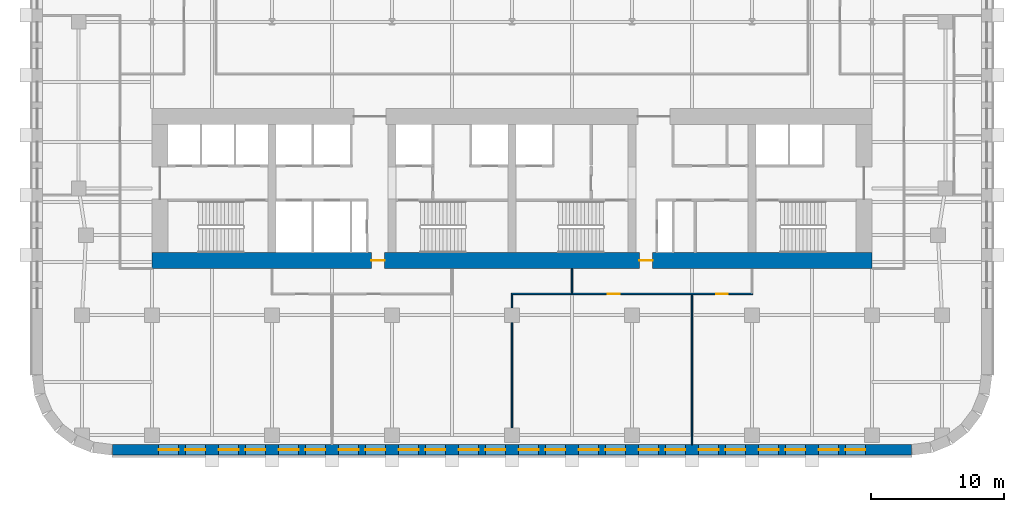
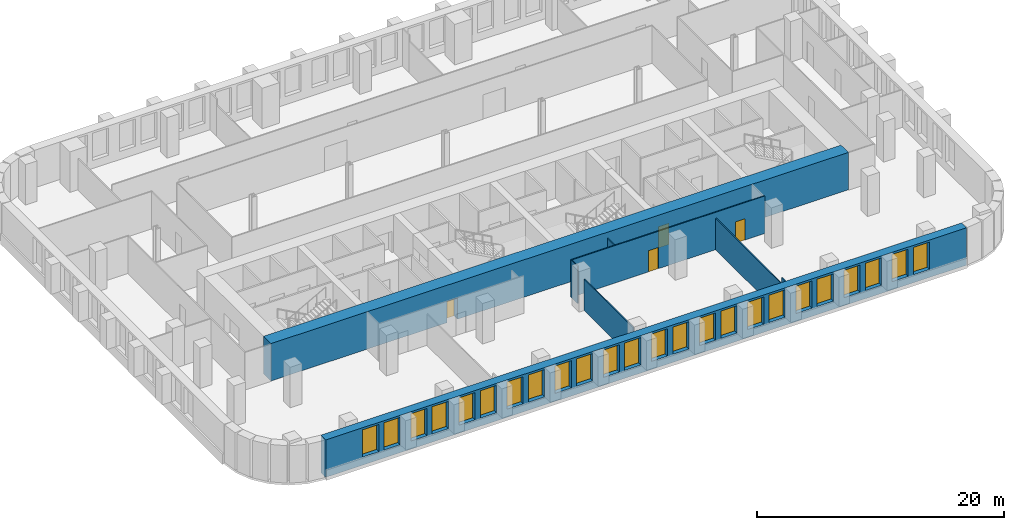
# One storey, part 5 of 12: 24 windows, 8 walls, 4 doors, 28 openings.
"""IFC4 building model written with IfcOpenShell, lengths in metres."""

from ifc_helpers import new_model, si_unit, direction, frame, frame_2d, origin, place, context, subcontext, project, spatial, rectangle, extrude, material, layer, layer_set, type_object, element, fill, save


model = new_model("IFC4")

# Units and contexts
model_context = context("Model", 3, precision=1e-05, world=origin(), true_north=direction((0.0, 1.0)))
body_context = subcontext(model_context, "Body", "Model", "MODEL_VIEW")
ifc_project = project(units=[si_unit("LENGTHUNIT", "METRE"), si_unit("AREAUNIT", "SQUARE_METRE"), si_unit("VOLUMEUNIT", "CUBIC_METRE"), si_unit("PLANEANGLEUNIT", "RADIAN"), si_unit("MASSUNIT", "GRAM", prefix="KILO")], contexts=[model_context])

# Site, building, storey
site_placement = place(None, origin())
site = spatial("IfcSite", under=ifc_project, at=site_placement, CompositionType="ELEMENT")
building_placement = place(site_placement, origin())
building = spatial("IfcBuilding", under=site, at=building_placement, Name="Zellij Exchange Tower", CompositionType="ELEMENT")
storey_placement = place(building_placement, frame((0.0, 0.0, 96.5)))
storey = spatial("IfcBuildingStorey", under=building, at=storey_placement, Name="L20", CompositionType="ELEMENT", Elevation=96.5)

# Wall, openings, doors
ifc_material_1 = material(Name="Concrete C70/85", Category="concrete")
ifc_layer_1 = layer(ifc_material_1, 1.199951171875)
ifc_layer_set_1 = layer_set([ifc_layer_1], Name="Concrete C70/85")
wall_type_1 = type_object("IfcWallType", Name="CORE-SW 1200 C70/85", PredefinedType="SHEAR", material=ifc_layer_set_1)
wall_1_placement = place(storey_placement, frame((-27.0, -13.39990234375, 0.0), z_axis=(0.0, 0.0, 1.0), x_axis=(1.0, 0.0, 0.0)))
wall_1 = element("IfcWall", 1, at=wall_1_placement, inside=storey, type_object=wall_type_1, Name="Core shear wall rear L20", PredefinedType="SHEAR", context=body_context, shape_type="SweptSolid", body=[
    extrude(rectangle(XDim=54.0, YDim=1.199951171875, at=frame_2d((27.0, 0.0))), origin(), (0.0, 0.0, 1.0), 3.699951171875),
])
opening_1_placement = place(wall_1_placement, frame((16.449951171875, 0.0, 0.0)))
opening_1 = element("IfcOpeningElement", 2, at=opening_1_placement, cuts=wall_1, Name="Opening CA-10.12", PredefinedType="OPENING", context=body_context, shape_type="SweptSolid", body=[
    extrude(rectangle(XDim=1.0, YDim=2.10009765625, at=frame_2d((0.5, 1.050048828125))), frame((0.0, 0.61181640625, 0.0), z_axis=(0.0, -1.0, 0.0), x_axis=(1.0, 0.0, 0.0)), (0.0, 0.0, 1.0), 1.223876953125),
])
opening_2_placement = place(wall_1_placement, frame((36.550048828125, 0.0, 0.0)))
opening_2 = element("IfcOpeningElement", 3, at=opening_2_placement, cuts=wall_1, Name="Opening CA-10.20", PredefinedType="OPENING", context=body_context, shape_type="SweptSolid", body=[
    extrude(rectangle(XDim=1.0, YDim=2.10009765625, at=frame_2d((0.5, 1.050048828125))), frame((0.0, 0.61181640625, 0.0), z_axis=(0.0, -1.0, 0.0), x_axis=(1.0, 0.0, 0.0)), (0.0, 0.0, 1.0), 1.223876953125),
])
ifc_material_2 = material(Name="Hollow metal fire door")
door_type_1 = type_object("IfcDoorType", Name="CORE-D CR Core rear door 1000x2100 20 MIN", OperationType="NOTDEFINED", PredefinedType="DOOR", material=ifc_material_2)
door_1_placement = place(opening_1_placement, origin())
door_1 = element("IfcDoor", 4, at=door_1_placement, inside=storey, type_object=door_type_1, Name="Core rear door CA-10.12", OperationType="SINGLE_SWING_RIGHT", OverallHeight=2.10009765625, OverallWidth=1.0, PredefinedType="DOOR", context=body_context, shape_type="SweptSolid", body=[
    extrude(rectangle(XDim=1.0, YDim=2.10009765625, at=frame_2d((0.5, 1.050048828125))), frame((0.0, 0.02490234375, 0.0), z_axis=(0.0, -1.0, 0.0), x_axis=(1.0, 0.0, 0.0)), (0.0, 0.0, 1.0), 0.050048828125),
])
fill(opening_1, door_1)
door_2_placement = place(opening_2_placement, origin())
door_2 = element("IfcDoor", 5, at=door_2_placement, inside=storey, type_object=door_type_1, Name="Core rear door CA-10.20", OperationType="SINGLE_SWING_LEFT", OverallHeight=2.10009765625, OverallWidth=1.0, PredefinedType="DOOR", context=body_context, shape_type="SweptSolid", body=[
    extrude(rectangle(XDim=1.0, YDim=2.10009765625, at=frame_2d((0.5, 1.050048828125))), frame((0.0, 0.02490234375, 0.0), z_axis=(0.0, -1.0, 0.0), x_axis=(1.0, 0.0, 0.0)), (0.0, 0.0, 1.0), 0.050048828125),
])
fill(opening_2, door_2)

# Wall, openings, windows
ifc_material_3 = material(Name="Precast concrete C40/50", Category="concrete")
ifc_layer_2 = layer(ifc_material_3, 0.800048828125)
ifc_layer_set_2 = layer_set([ifc_layer_2], Name="Precast concrete C40/50")
wall_type_2 = type_object("IfcWallType", Name="ENV-EW1 Precast stone-piered wall 800", PredefinedType="SOLIDWALL", material=ifc_layer_set_2)
wall_2_placement = place(storey_placement, frame((-29.947509765625, -27.60009765625, 0.0), z_axis=(0.0, 0.0, 1.0), x_axis=(1.0, 0.0, 0.0)))
wall_2 = element("IfcWall", 6, at=wall_2_placement, inside=storey, type_object=wall_type_2, Name="fac.L20.00", PredefinedType="SOLIDWALL", context=body_context, shape_type="SweptSolid", body=[
    extrude(rectangle(XDim=59.89501953125, YDim=0.800048828125, at=frame_2d((29.947509765625, 0.0))), origin(), (0.0, 0.0, 1.0), 3.699951171875),
])
opening_3_placement = place(wall_2_placement, frame((3.447509765625, 0.0, 0.800048828125)))
opening_3 = element("IfcOpeningElement", 7, at=opening_3_placement, cuts=wall_2, Name="Opening FZ1.01", PredefinedType="OPENING", context=body_context, shape_type="SweptSolid", body=[
    extrude(rectangle(XDim=1.5, YDim=2.699951171875, at=frame_2d((0.75, 1.35009765625))), frame((0.0, 0.412109375, 0.0), z_axis=(0.0, -1.0, 0.0), x_axis=(1.0, 0.0, 0.0)), (0.0, 0.0, 1.0), 0.823974609375),
])
opening_4_placement = place(wall_2_placement, frame((5.447509765625, 0.0, 0.800048828125)))
opening_4 = element("IfcOpeningElement", 8, at=opening_4_placement, cuts=wall_2, Name="Opening FZ1.02", PredefinedType="OPENING", context=body_context, shape_type="SweptSolid", body=[
    extrude(rectangle(XDim=1.5, YDim=2.699951171875, at=frame_2d((0.75, 1.35009765625))), frame((0.0, 0.412109375, 0.0), z_axis=(0.0, -1.0, 0.0), x_axis=(1.0, 0.0, 0.0)), (0.0, 0.0, 1.0), 0.823974609375),
])
opening_5_placement = place(wall_2_placement, frame((7.947509765625, 0.0, 0.800048828125)))
opening_5 = element("IfcOpeningElement", 9, at=opening_5_placement, cuts=wall_2, Name="Opening FZ1.03", PredefinedType="OPENING", context=body_context, shape_type="SweptSolid", body=[
    extrude(rectangle(XDim=1.5, YDim=2.699951171875, at=frame_2d((0.75, 1.35009765625))), frame((0.0, 0.412109375, 0.0), z_axis=(0.0, -1.0, 0.0), x_axis=(1.0, 0.0, 0.0)), (0.0, 0.0, 1.0), 0.823974609375),
])
opening_6_placement = place(wall_2_placement, frame((9.947509765625, 0.0, 0.800048828125)))
opening_6 = element("IfcOpeningElement", 10, at=opening_6_placement, cuts=wall_2, Name="Opening FZ1.04", PredefinedType="OPENING", context=body_context, shape_type="SweptSolid", body=[
    extrude(rectangle(XDim=1.5, YDim=2.699951171875, at=frame_2d((0.75, 1.35009765625))), frame((0.0, 0.412109375, 0.0), z_axis=(0.0, -1.0, 0.0), x_axis=(1.0, 0.0, 0.0)), (0.0, 0.0, 1.0), 0.823974609375),
])
opening_7_placement = place(wall_2_placement, frame((12.447509765625, 0.0, 0.800048828125)))
opening_7 = element("IfcOpeningElement", 11, at=opening_7_placement, cuts=wall_2, Name="Opening FZ1.05", PredefinedType="OPENING", context=body_context, shape_type="SweptSolid", body=[
    extrude(rectangle(XDim=1.5, YDim=2.699951171875, at=frame_2d((0.75, 1.35009765625))), frame((0.0, 0.412109375, 0.0), z_axis=(0.0, -1.0, 0.0), x_axis=(1.0, 0.0, 0.0)), (0.0, 0.0, 1.0), 0.823974609375),
])
opening_8_placement = place(wall_2_placement, frame((14.447509765625, 0.0, 0.800048828125)))
opening_8 = element("IfcOpeningElement", 12, at=opening_8_placement, cuts=wall_2, Name="Opening FZ1.06", PredefinedType="OPENING", context=body_context, shape_type="SweptSolid", body=[
    extrude(rectangle(XDim=1.5, YDim=2.699951171875, at=frame_2d((0.75, 1.35009765625))), frame((0.0, 0.412109375, 0.0), z_axis=(0.0, -1.0, 0.0), x_axis=(1.0, 0.0, 0.0)), (0.0, 0.0, 1.0), 0.823974609375),
])
opening_9_placement = place(wall_2_placement, frame((16.947509765625, 0.0, 0.800048828125)))
opening_9 = element("IfcOpeningElement", 13, at=opening_9_placement, cuts=wall_2, Name="Opening FZ1.07", PredefinedType="OPENING", context=body_context, shape_type="SweptSolid", body=[
    extrude(rectangle(XDim=1.5, YDim=2.699951171875, at=frame_2d((0.75, 1.35009765625))), frame((0.0, 0.412109375, 0.0), z_axis=(0.0, -1.0, 0.0), x_axis=(1.0, 0.0, 0.0)), (0.0, 0.0, 1.0), 0.823974609375),
])
opening_10_placement = place(wall_2_placement, frame((18.947509765625, 0.0, 0.800048828125)))
opening_10 = element("IfcOpeningElement", 14, at=opening_10_placement, cuts=wall_2, Name="Opening FZ1.08", PredefinedType="OPENING", context=body_context, shape_type="SweptSolid", body=[
    extrude(rectangle(XDim=1.5, YDim=2.699951171875, at=frame_2d((0.75, 1.35009765625))), frame((0.0, 0.412109375, 0.0), z_axis=(0.0, -1.0, 0.0), x_axis=(1.0, 0.0, 0.0)), (0.0, 0.0, 1.0), 0.823974609375),
])
opening_11_placement = place(wall_2_placement, frame((21.447509765625, 0.0, 0.800048828125)))
opening_11 = element("IfcOpeningElement", 15, at=opening_11_placement, cuts=wall_2, Name="Opening FZ1.09", PredefinedType="OPENING", context=body_context, shape_type="SweptSolid", body=[
    extrude(rectangle(XDim=1.5, YDim=2.699951171875, at=frame_2d((0.75, 1.35009765625))), frame((0.0, 0.412109375, 0.0), z_axis=(0.0, -1.0, 0.0), x_axis=(1.0, 0.0, 0.0)), (0.0, 0.0, 1.0), 0.823974609375),
])
opening_12_placement = place(wall_2_placement, frame((23.447509765625, 0.0, 0.800048828125)))
opening_12 = element("IfcOpeningElement", 16, at=opening_12_placement, cuts=wall_2, Name="Opening FZ1.10", PredefinedType="OPENING", context=body_context, shape_type="SweptSolid", body=[
    extrude(rectangle(XDim=1.5, YDim=2.699951171875, at=frame_2d((0.75, 1.35009765625))), frame((0.0, 0.412109375, 0.0), z_axis=(0.0, -1.0, 0.0), x_axis=(1.0, 0.0, 0.0)), (0.0, 0.0, 1.0), 0.823974609375),
])
opening_13_placement = place(wall_2_placement, frame((25.947509765625, 0.0, 0.800048828125)))
opening_13 = element("IfcOpeningElement", 17, at=opening_13_placement, cuts=wall_2, Name="Opening FZ1.11", PredefinedType="OPENING", context=body_context, shape_type="SweptSolid", body=[
    extrude(rectangle(XDim=1.5, YDim=2.699951171875, at=frame_2d((0.75, 1.35009765625))), frame((0.0, 0.412109375, 0.0), z_axis=(0.0, -1.0, 0.0), x_axis=(1.0, 0.0, 0.0)), (0.0, 0.0, 1.0), 0.823974609375),
])
opening_14_placement = place(wall_2_placement, frame((27.947509765625, 0.0, 0.800048828125)))
opening_14 = element("IfcOpeningElement", 18, at=opening_14_placement, cuts=wall_2, Name="Opening FZ1.12", PredefinedType="OPENING", context=body_context, shape_type="SweptSolid", body=[
    extrude(rectangle(XDim=1.5, YDim=2.699951171875, at=frame_2d((0.75, 1.35009765625))), frame((0.0, 0.412109375, 0.0), z_axis=(0.0, -1.0, 0.0), x_axis=(1.0, 0.0, 0.0)), (0.0, 0.0, 1.0), 0.823974609375),
])
opening_15_placement = place(wall_2_placement, frame((30.447509765625, 0.0, 0.800048828125)))
opening_15 = element("IfcOpeningElement", 19, at=opening_15_placement, cuts=wall_2, Name="Opening FZ1.13", PredefinedType="OPENING", context=body_context, shape_type="SweptSolid", body=[
    extrude(rectangle(XDim=1.5, YDim=2.699951171875, at=frame_2d((0.75, 1.35009765625))), frame((0.0, 0.412109375, 0.0), z_axis=(0.0, -1.0, 0.0), x_axis=(1.0, 0.0, 0.0)), (0.0, 0.0, 1.0), 0.823974609375),
])
opening_16_placement = place(wall_2_placement, frame((32.447509765625, 0.0, 0.800048828125)))
opening_16 = element("IfcOpeningElement", 20, at=opening_16_placement, cuts=wall_2, Name="Opening FZ1.14", PredefinedType="OPENING", context=body_context, shape_type="SweptSolid", body=[
    extrude(rectangle(XDim=1.5, YDim=2.699951171875, at=frame_2d((0.75, 1.35009765625))), frame((0.0, 0.412109375, 0.0), z_axis=(0.0, -1.0, 0.0), x_axis=(1.0, 0.0, 0.0)), (0.0, 0.0, 1.0), 0.823974609375),
])
opening_17_placement = place(wall_2_placement, frame((34.947509765625, 0.0, 0.800048828125)))
opening_17 = element("IfcOpeningElement", 21, at=opening_17_placement, cuts=wall_2, Name="Opening FZ1.15", PredefinedType="OPENING", context=body_context, shape_type="SweptSolid", body=[
    extrude(rectangle(XDim=1.5, YDim=2.699951171875, at=frame_2d((0.75, 1.35009765625))), frame((0.0, 0.412109375, 0.0), z_axis=(0.0, -1.0, 0.0), x_axis=(1.0, 0.0, 0.0)), (0.0, 0.0, 1.0), 0.823974609375),
])
opening_18_placement = place(wall_2_placement, frame((36.947509765625, 0.0, 0.800048828125)))
opening_18 = element("IfcOpeningElement", 22, at=opening_18_placement, cuts=wall_2, Name="Opening FZ1.16", PredefinedType="OPENING", context=body_context, shape_type="SweptSolid", body=[
    extrude(rectangle(XDim=1.5, YDim=2.699951171875, at=frame_2d((0.75, 1.35009765625))), frame((0.0, 0.412109375, 0.0), z_axis=(0.0, -1.0, 0.0), x_axis=(1.0, 0.0, 0.0)), (0.0, 0.0, 1.0), 0.823974609375),
])
opening_19_placement = place(wall_2_placement, frame((39.447509765625, 0.0, 0.800048828125)))
opening_19 = element("IfcOpeningElement", 23, at=opening_19_placement, cuts=wall_2, Name="Opening FZ1.17", PredefinedType="OPENING", context=body_context, shape_type="SweptSolid", body=[
    extrude(rectangle(XDim=1.5, YDim=2.699951171875, at=frame_2d((0.75, 1.35009765625))), frame((0.0, 0.412109375, 0.0), z_axis=(0.0, -1.0, 0.0), x_axis=(1.0, 0.0, 0.0)), (0.0, 0.0, 1.0), 0.823974609375),
])
opening_20_placement = place(wall_2_placement, frame((41.447509765625, 0.0, 0.800048828125)))
opening_20 = element("IfcOpeningElement", 24, at=opening_20_placement, cuts=wall_2, Name="Opening FZ1.18", PredefinedType="OPENING", context=body_context, shape_type="SweptSolid", body=[
    extrude(rectangle(XDim=1.5, YDim=2.699951171875, at=frame_2d((0.75, 1.35009765625))), frame((0.0, 0.412109375, 0.0), z_axis=(0.0, -1.0, 0.0), x_axis=(1.0, 0.0, 0.0)), (0.0, 0.0, 1.0), 0.823974609375),
])
opening_21_placement = place(wall_2_placement, frame((43.947509765625, 0.0, 0.800048828125)))
opening_21 = element("IfcOpeningElement", 25, at=opening_21_placement, cuts=wall_2, Name="Opening FZ1.19", PredefinedType="OPENING", context=body_context, shape_type="SweptSolid", body=[
    extrude(rectangle(XDim=1.5, YDim=2.699951171875, at=frame_2d((0.75, 1.35009765625))), frame((0.0, 0.412109375, 0.0), z_axis=(0.0, -1.0, 0.0), x_axis=(1.0, 0.0, 0.0)), (0.0, 0.0, 1.0), 0.823974609375),
])
opening_22_placement = place(wall_2_placement, frame((45.947509765625, 0.0, 0.800048828125)))
opening_22 = element("IfcOpeningElement", 26, at=opening_22_placement, cuts=wall_2, Name="Opening FZ1.20", PredefinedType="OPENING", context=body_context, shape_type="SweptSolid", body=[
    extrude(rectangle(XDim=1.5, YDim=2.699951171875, at=frame_2d((0.75, 1.35009765625))), frame((0.0, 0.412109375, 0.0), z_axis=(0.0, -1.0, 0.0), x_axis=(1.0, 0.0, 0.0)), (0.0, 0.0, 1.0), 0.823974609375),
])
opening_23_placement = place(wall_2_placement, frame((48.447509765625, 0.0, 0.800048828125)))
opening_23 = element("IfcOpeningElement", 27, at=opening_23_placement, cuts=wall_2, Name="Opening FZ1.21", PredefinedType="OPENING", context=body_context, shape_type="SweptSolid", body=[
    extrude(rectangle(XDim=1.5, YDim=2.699951171875, at=frame_2d((0.75, 1.35009765625))), frame((0.0, 0.412109375, 0.0), z_axis=(0.0, -1.0, 0.0), x_axis=(1.0, 0.0, 0.0)), (0.0, 0.0, 1.0), 0.823974609375),
])
opening_24_placement = place(wall_2_placement, frame((50.447509765625, 0.0, 0.800048828125)))
opening_24 = element("IfcOpeningElement", 28, at=opening_24_placement, cuts=wall_2, Name="Opening FZ1.22", PredefinedType="OPENING", context=body_context, shape_type="SweptSolid", body=[
    extrude(rectangle(XDim=1.5, YDim=2.699951171875, at=frame_2d((0.75, 1.35009765625))), frame((0.0, 0.412109375, 0.0), z_axis=(0.0, -1.0, 0.0), x_axis=(1.0, 0.0, 0.0)), (0.0, 0.0, 1.0), 0.823974609375),
])
opening_25_placement = place(wall_2_placement, frame((52.947509765625, 0.0, 0.800048828125)))
opening_25 = element("IfcOpeningElement", 29, at=opening_25_placement, cuts=wall_2, Name="Opening FZ1.23", PredefinedType="OPENING", context=body_context, shape_type="SweptSolid", body=[
    extrude(rectangle(XDim=1.5, YDim=2.699951171875, at=frame_2d((0.75, 1.35009765625))), frame((0.0, 0.412109375, 0.0), z_axis=(0.0, -1.0, 0.0), x_axis=(1.0, 0.0, 0.0)), (0.0, 0.0, 1.0), 0.823974609375),
])
opening_26_placement = place(wall_2_placement, frame((54.947509765625, 0.0, 0.800048828125)))
opening_26 = element("IfcOpeningElement", 30, at=opening_26_placement, cuts=wall_2, Name="Opening FZ1.24", PredefinedType="OPENING", context=body_context, shape_type="SweptSolid", body=[
    extrude(rectangle(XDim=1.5, YDim=2.699951171875, at=frame_2d((0.75, 1.35009765625))), frame((0.0, 0.412109375, 0.0), z_axis=(0.0, -1.0, 0.0), x_axis=(1.0, 0.0, 0.0)), (0.0, 0.0, 1.0), 0.823974609375),
])
ifc_material_4 = material(Name="Aluminium frame with insulating glass", Category="aluminium")
window_type = type_object("IfcWindowType", Name="ENV-W6 Window 1500x2700", PartitioningType="SINGLE_PANEL", PredefinedType="WINDOW", material=ifc_material_4)
window_1_placement = place(opening_3_placement, origin())
window_1 = element("IfcWindow", 31, at=window_1_placement, inside=storey, type_object=window_type, Name="Window FZ1.01", OverallHeight=2.699951171875, OverallWidth=1.5, PartitioningType="SINGLE_PANEL", PredefinedType="WINDOW", context=body_context, shape_type="SweptSolid", body=[
    extrude(rectangle(XDim=1.5, YDim=2.699951171875, at=frame_2d((0.75, 1.35009765625))), frame((0.0, 0.030029296875, 0.0), z_axis=(0.0, -1.0, 0.0), x_axis=(1.0, 0.0, 0.0)), (0.0, 0.0, 1.0), 0.06005859375),
])
fill(opening_3, window_1)
window_2_placement = place(opening_4_placement, origin())
window_2 = element("IfcWindow", 32, at=window_2_placement, inside=storey, type_object=window_type, Name="Window FZ1.02", OverallHeight=2.699951171875, OverallWidth=1.5, PartitioningType="SINGLE_PANEL", PredefinedType="WINDOW", context=body_context, shape_type="SweptSolid", body=[
    extrude(rectangle(XDim=1.5, YDim=2.699951171875, at=frame_2d((0.75, 1.35009765625))), frame((0.0, 0.030029296875, 0.0), z_axis=(0.0, -1.0, 0.0), x_axis=(1.0, 0.0, 0.0)), (0.0, 0.0, 1.0), 0.06005859375),
])
fill(opening_4, window_2)
window_3_placement = place(opening_5_placement, origin())
window_3 = element("IfcWindow", 33, at=window_3_placement, inside=storey, type_object=window_type, Name="Window FZ1.03", OverallHeight=2.699951171875, OverallWidth=1.5, PartitioningType="SINGLE_PANEL", PredefinedType="WINDOW", context=body_context, shape_type="SweptSolid", body=[
    extrude(rectangle(XDim=1.5, YDim=2.699951171875, at=frame_2d((0.75, 1.35009765625))), frame((0.0, 0.030029296875, 0.0), z_axis=(0.0, -1.0, 0.0), x_axis=(1.0, 0.0, 0.0)), (0.0, 0.0, 1.0), 0.06005859375),
])
fill(opening_5, window_3)
window_4_placement = place(opening_6_placement, origin())
window_4 = element("IfcWindow", 34, at=window_4_placement, inside=storey, type_object=window_type, Name="Window FZ1.04", OverallHeight=2.699951171875, OverallWidth=1.5, PartitioningType="SINGLE_PANEL", PredefinedType="WINDOW", context=body_context, shape_type="SweptSolid", body=[
    extrude(rectangle(XDim=1.5, YDim=2.699951171875, at=frame_2d((0.75, 1.35009765625))), frame((0.0, 0.030029296875, 0.0), z_axis=(0.0, -1.0, 0.0), x_axis=(1.0, 0.0, 0.0)), (0.0, 0.0, 1.0), 0.06005859375),
])
fill(opening_6, window_4)
window_5_placement = place(opening_7_placement, origin())
window_5 = element("IfcWindow", 35, at=window_5_placement, inside=storey, type_object=window_type, Name="Window FZ1.05", OverallHeight=2.699951171875, OverallWidth=1.5, PartitioningType="SINGLE_PANEL", PredefinedType="WINDOW", context=body_context, shape_type="SweptSolid", body=[
    extrude(rectangle(XDim=1.5, YDim=2.699951171875, at=frame_2d((0.75, 1.35009765625))), frame((0.0, 0.030029296875, 0.0), z_axis=(0.0, -1.0, 0.0), x_axis=(1.0, 0.0, 0.0)), (0.0, 0.0, 1.0), 0.06005859375),
])
fill(opening_7, window_5)
window_6_placement = place(opening_8_placement, origin())
window_6 = element("IfcWindow", 36, at=window_6_placement, inside=storey, type_object=window_type, Name="Window FZ1.06", OverallHeight=2.699951171875, OverallWidth=1.5, PartitioningType="SINGLE_PANEL", PredefinedType="WINDOW", context=body_context, shape_type="SweptSolid", body=[
    extrude(rectangle(XDim=1.5, YDim=2.699951171875, at=frame_2d((0.75, 1.35009765625))), frame((0.0, 0.030029296875, 0.0), z_axis=(0.0, -1.0, 0.0), x_axis=(1.0, 0.0, 0.0)), (0.0, 0.0, 1.0), 0.06005859375),
])
fill(opening_8, window_6)
window_7_placement = place(opening_9_placement, origin())
window_7 = element("IfcWindow", 37, at=window_7_placement, inside=storey, type_object=window_type, Name="Window FZ1.07", OverallHeight=2.699951171875, OverallWidth=1.5, PartitioningType="SINGLE_PANEL", PredefinedType="WINDOW", context=body_context, shape_type="SweptSolid", body=[
    extrude(rectangle(XDim=1.5, YDim=2.699951171875, at=frame_2d((0.75, 1.35009765625))), frame((0.0, 0.030029296875, 0.0), z_axis=(0.0, -1.0, 0.0), x_axis=(1.0, 0.0, 0.0)), (0.0, 0.0, 1.0), 0.06005859375),
])
fill(opening_9, window_7)
window_8_placement = place(opening_10_placement, origin())
window_8 = element("IfcWindow", 38, at=window_8_placement, inside=storey, type_object=window_type, Name="Window FZ1.08", OverallHeight=2.699951171875, OverallWidth=1.5, PartitioningType="SINGLE_PANEL", PredefinedType="WINDOW", context=body_context, shape_type="SweptSolid", body=[
    extrude(rectangle(XDim=1.5, YDim=2.699951171875, at=frame_2d((0.75, 1.35009765625))), frame((0.0, 0.030029296875, 0.0), z_axis=(0.0, -1.0, 0.0), x_axis=(1.0, 0.0, 0.0)), (0.0, 0.0, 1.0), 0.06005859375),
])
fill(opening_10, window_8)
window_9_placement = place(opening_11_placement, origin())
window_9 = element("IfcWindow", 39, at=window_9_placement, inside=storey, type_object=window_type, Name="Window FZ1.09", OverallHeight=2.699951171875, OverallWidth=1.5, PartitioningType="SINGLE_PANEL", PredefinedType="WINDOW", context=body_context, shape_type="SweptSolid", body=[
    extrude(rectangle(XDim=1.5, YDim=2.699951171875, at=frame_2d((0.75, 1.35009765625))), frame((0.0, 0.030029296875, 0.0), z_axis=(0.0, -1.0, 0.0), x_axis=(1.0, 0.0, 0.0)), (0.0, 0.0, 1.0), 0.06005859375),
])
fill(opening_11, window_9)
window_10_placement = place(opening_12_placement, origin())
window_10 = element("IfcWindow", 40, at=window_10_placement, inside=storey, type_object=window_type, Name="Window FZ1.10", OverallHeight=2.699951171875, OverallWidth=1.5, PartitioningType="SINGLE_PANEL", PredefinedType="WINDOW", context=body_context, shape_type="SweptSolid", body=[
    extrude(rectangle(XDim=1.5, YDim=2.699951171875, at=frame_2d((0.75, 1.35009765625))), frame((0.0, 0.030029296875, 0.0), z_axis=(0.0, -1.0, 0.0), x_axis=(1.0, 0.0, 0.0)), (0.0, 0.0, 1.0), 0.06005859375),
])
fill(opening_12, window_10)
window_11_placement = place(opening_13_placement, origin())
window_11 = element("IfcWindow", 41, at=window_11_placement, inside=storey, type_object=window_type, Name="Window FZ1.11", OverallHeight=2.699951171875, OverallWidth=1.5, PartitioningType="SINGLE_PANEL", PredefinedType="WINDOW", context=body_context, shape_type="SweptSolid", body=[
    extrude(rectangle(XDim=1.5, YDim=2.699951171875, at=frame_2d((0.75, 1.35009765625))), frame((0.0, 0.030029296875, 0.0), z_axis=(0.0, -1.0, 0.0), x_axis=(1.0, 0.0, 0.0)), (0.0, 0.0, 1.0), 0.06005859375),
])
fill(opening_13, window_11)
window_12_placement = place(opening_14_placement, origin())
window_12 = element("IfcWindow", 42, at=window_12_placement, inside=storey, type_object=window_type, Name="Window FZ1.12", OverallHeight=2.699951171875, OverallWidth=1.5, PartitioningType="SINGLE_PANEL", PredefinedType="WINDOW", context=body_context, shape_type="SweptSolid", body=[
    extrude(rectangle(XDim=1.5, YDim=2.699951171875, at=frame_2d((0.75, 1.35009765625))), frame((0.0, 0.030029296875, 0.0), z_axis=(0.0, -1.0, 0.0), x_axis=(1.0, 0.0, 0.0)), (0.0, 0.0, 1.0), 0.06005859375),
])
fill(opening_14, window_12)
window_13_placement = place(opening_15_placement, origin())
window_13 = element("IfcWindow", 43, at=window_13_placement, inside=storey, type_object=window_type, Name="Window FZ1.13", OverallHeight=2.699951171875, OverallWidth=1.5, PartitioningType="SINGLE_PANEL", PredefinedType="WINDOW", context=body_context, shape_type="SweptSolid", body=[
    extrude(rectangle(XDim=1.5, YDim=2.699951171875, at=frame_2d((0.75, 1.35009765625))), frame((0.0, 0.030029296875, 0.0), z_axis=(0.0, -1.0, 0.0), x_axis=(1.0, 0.0, 0.0)), (0.0, 0.0, 1.0), 0.06005859375),
])
fill(opening_15, window_13)
window_14_placement = place(opening_16_placement, origin())
window_14 = element("IfcWindow", 44, at=window_14_placement, inside=storey, type_object=window_type, Name="Window FZ1.14", OverallHeight=2.699951171875, OverallWidth=1.5, PartitioningType="SINGLE_PANEL", PredefinedType="WINDOW", context=body_context, shape_type="SweptSolid", body=[
    extrude(rectangle(XDim=1.5, YDim=2.699951171875, at=frame_2d((0.75, 1.35009765625))), frame((0.0, 0.030029296875, 0.0), z_axis=(0.0, -1.0, 0.0), x_axis=(1.0, 0.0, 0.0)), (0.0, 0.0, 1.0), 0.06005859375),
])
fill(opening_16, window_14)
window_15_placement = place(opening_17_placement, origin())
window_15 = element("IfcWindow", 45, at=window_15_placement, inside=storey, type_object=window_type, Name="Window FZ1.15", OverallHeight=2.699951171875, OverallWidth=1.5, PartitioningType="SINGLE_PANEL", PredefinedType="WINDOW", context=body_context, shape_type="SweptSolid", body=[
    extrude(rectangle(XDim=1.5, YDim=2.699951171875, at=frame_2d((0.75, 1.35009765625))), frame((0.0, 0.030029296875, 0.0), z_axis=(0.0, -1.0, 0.0), x_axis=(1.0, 0.0, 0.0)), (0.0, 0.0, 1.0), 0.06005859375),
])
fill(opening_17, window_15)
window_16_placement = place(opening_18_placement, origin())
window_16 = element("IfcWindow", 46, at=window_16_placement, inside=storey, type_object=window_type, Name="Window FZ1.16", OverallHeight=2.699951171875, OverallWidth=1.5, PartitioningType="SINGLE_PANEL", PredefinedType="WINDOW", context=body_context, shape_type="SweptSolid", body=[
    extrude(rectangle(XDim=1.5, YDim=2.699951171875, at=frame_2d((0.75, 1.35009765625))), frame((0.0, 0.030029296875, 0.0), z_axis=(0.0, -1.0, 0.0), x_axis=(1.0, 0.0, 0.0)), (0.0, 0.0, 1.0), 0.06005859375),
])
fill(opening_18, window_16)
window_17_placement = place(opening_19_placement, origin())
window_17 = element("IfcWindow", 47, at=window_17_placement, inside=storey, type_object=window_type, Name="Window FZ1.17", OverallHeight=2.699951171875, OverallWidth=1.5, PartitioningType="SINGLE_PANEL", PredefinedType="WINDOW", context=body_context, shape_type="SweptSolid", body=[
    extrude(rectangle(XDim=1.5, YDim=2.699951171875, at=frame_2d((0.75, 1.35009765625))), frame((0.0, 0.030029296875, 0.0), z_axis=(0.0, -1.0, 0.0), x_axis=(1.0, 0.0, 0.0)), (0.0, 0.0, 1.0), 0.06005859375),
])
fill(opening_19, window_17)
window_18_placement = place(opening_20_placement, origin())
window_18 = element("IfcWindow", 48, at=window_18_placement, inside=storey, type_object=window_type, Name="Window FZ1.18", OverallHeight=2.699951171875, OverallWidth=1.5, PartitioningType="SINGLE_PANEL", PredefinedType="WINDOW", context=body_context, shape_type="SweptSolid", body=[
    extrude(rectangle(XDim=1.5, YDim=2.699951171875, at=frame_2d((0.75, 1.35009765625))), frame((0.0, 0.030029296875, 0.0), z_axis=(0.0, -1.0, 0.0), x_axis=(1.0, 0.0, 0.0)), (0.0, 0.0, 1.0), 0.06005859375),
])
fill(opening_20, window_18)
window_19_placement = place(opening_21_placement, origin())
window_19 = element("IfcWindow", 49, at=window_19_placement, inside=storey, type_object=window_type, Name="Window FZ1.19", OverallHeight=2.699951171875, OverallWidth=1.5, PartitioningType="SINGLE_PANEL", PredefinedType="WINDOW", context=body_context, shape_type="SweptSolid", body=[
    extrude(rectangle(XDim=1.5, YDim=2.699951171875, at=frame_2d((0.75, 1.35009765625))), frame((0.0, 0.030029296875, 0.0), z_axis=(0.0, -1.0, 0.0), x_axis=(1.0, 0.0, 0.0)), (0.0, 0.0, 1.0), 0.06005859375),
])
fill(opening_21, window_19)
window_20_placement = place(opening_22_placement, origin())
window_20 = element("IfcWindow", 50, at=window_20_placement, inside=storey, type_object=window_type, Name="Window FZ1.20", OverallHeight=2.699951171875, OverallWidth=1.5, PartitioningType="SINGLE_PANEL", PredefinedType="WINDOW", context=body_context, shape_type="SweptSolid", body=[
    extrude(rectangle(XDim=1.5, YDim=2.699951171875, at=frame_2d((0.75, 1.35009765625))), frame((0.0, 0.030029296875, 0.0), z_axis=(0.0, -1.0, 0.0), x_axis=(1.0, 0.0, 0.0)), (0.0, 0.0, 1.0), 0.06005859375),
])
fill(opening_22, window_20)
window_21_placement = place(opening_23_placement, origin())
window_21 = element("IfcWindow", 51, at=window_21_placement, inside=storey, type_object=window_type, Name="Window FZ1.21", OverallHeight=2.699951171875, OverallWidth=1.5, PartitioningType="SINGLE_PANEL", PredefinedType="WINDOW", context=body_context, shape_type="SweptSolid", body=[
    extrude(rectangle(XDim=1.5, YDim=2.699951171875, at=frame_2d((0.75, 1.35009765625))), frame((0.0, 0.030029296875, 0.0), z_axis=(0.0, -1.0, 0.0), x_axis=(1.0, 0.0, 0.0)), (0.0, 0.0, 1.0), 0.06005859375),
])
fill(opening_23, window_21)
window_22_placement = place(opening_24_placement, origin())
window_22 = element("IfcWindow", 52, at=window_22_placement, inside=storey, type_object=window_type, Name="Window FZ1.22", OverallHeight=2.699951171875, OverallWidth=1.5, PartitioningType="SINGLE_PANEL", PredefinedType="WINDOW", context=body_context, shape_type="SweptSolid", body=[
    extrude(rectangle(XDim=1.5, YDim=2.699951171875, at=frame_2d((0.75, 1.35009765625))), frame((0.0, 0.030029296875, 0.0), z_axis=(0.0, -1.0, 0.0), x_axis=(1.0, 0.0, 0.0)), (0.0, 0.0, 1.0), 0.06005859375),
])
fill(opening_24, window_22)
window_23_placement = place(opening_25_placement, origin())
window_23 = element("IfcWindow", 53, at=window_23_placement, inside=storey, type_object=window_type, Name="Window FZ1.23", OverallHeight=2.699951171875, OverallWidth=1.5, PartitioningType="SINGLE_PANEL", PredefinedType="WINDOW", context=body_context, shape_type="SweptSolid", body=[
    extrude(rectangle(XDim=1.5, YDim=2.699951171875, at=frame_2d((0.75, 1.35009765625))), frame((0.0, 0.030029296875, 0.0), z_axis=(0.0, -1.0, 0.0), x_axis=(1.0, 0.0, 0.0)), (0.0, 0.0, 1.0), 0.06005859375),
])
fill(opening_25, window_23)
window_24_placement = place(opening_26_placement, origin())
window_24 = element("IfcWindow", 54, at=window_24_placement, inside=storey, type_object=window_type, Name="Window FZ1.24", OverallHeight=2.699951171875, OverallWidth=1.5, PartitioningType="SINGLE_PANEL", PredefinedType="WINDOW", context=body_context, shape_type="SweptSolid", body=[
    extrude(rectangle(XDim=1.5, YDim=2.699951171875, at=frame_2d((0.75, 1.35009765625))), frame((0.0, 0.030029296875, 0.0), z_axis=(0.0, -1.0, 0.0), x_axis=(1.0, 0.0, 0.0)), (0.0, 0.0, 1.0), 0.06005859375),
])
fill(opening_26, window_24)

# Walls
ifc_material_5 = material(Name="Gypsum board partition on steel studs", Category="steel")
ifc_layer_3 = layer(ifc_material_5, 0.10009765625)
ifc_layer_set_3 = layer_set([ifc_layer_3], Name="Gypsum board partition on steel studs")
wall_type_3 = type_object("IfcWallType", Name="FIT-PARTITION-100", PredefinedType="PARTITIONING", material=ifc_layer_set_3)
wall_3_placement = place(storey_placement, frame((0.0, -25.949951171875, 0.0), z_axis=(0.0, 0.0, 1.0), x_axis=(0.0, 1.0, 0.0)))
element("IfcWall", 55, at=wall_3_placement, inside=storey, type_object=wall_type_3, Name="FIT-PARTITION-100 003", PredefinedType="PARTITIONING", context=body_context, shape_type="SweptSolid", body=[
    extrude(rectangle(XDim=7.89990234375, YDim=0.10009765625, at=frame_2d((3.949951171875, 0.0))), origin(), (0.0, 0.0, 1.0), 3.087890625),
])
wall_4_placement = place(storey_placement, frame((0.0, -16.949951171875, 0.0), z_axis=(0.0, 0.0, 1.0), x_axis=(0.0, 1.0, 0.0)))
element("IfcWall", 56, at=wall_4_placement, inside=storey, type_object=wall_type_3, Name="FIT-PARTITION-100 004", PredefinedType="PARTITIONING", context=body_context, shape_type="SweptSolid", body=[
    extrude(rectangle(XDim=1.0, YDim=0.10009765625, at=frame_2d((0.5, 0.0))), origin(), (0.0, 0.0, 1.0), 3.699951171875),
])
wall_5_placement = place(storey_placement, frame((13.5, -27.199951171875, 0.0), z_axis=(0.0, 0.0, 1.0), x_axis=(0.0, 1.0, 0.0)))
element("IfcWall", 57, at=wall_5_placement, inside=storey, type_object=wall_type_3, Name="FIT-PARTITION-100 005", PredefinedType="PARTITIONING", context=body_context, shape_type="SweptSolid", body=[
    extrude(rectangle(XDim=0.58544921875, YDim=0.10009765625, at=frame_2d((0.292724609375, 0.0))), origin(), (0.0, 0.0, 1.0), 3.699951171875),
])
wall_6_placement = place(storey_placement, frame((13.5, -26.614501953125, 0.0), z_axis=(0.0, 0.0, 1.0), x_axis=(0.0, 1.0, 0.0)))
element("IfcWall", 58, at=wall_6_placement, inside=storey, type_object=wall_type_3, Name="FIT-PARTITION-100 006", PredefinedType="PARTITIONING", context=body_context, shape_type="SweptSolid", body=[
    extrude(rectangle(XDim=10.66455078125, YDim=0.10009765625, at=frame_2d((5.332275390625, 0.0))), origin(), (0.0, 0.0, 1.0), 3.097900390625),
])

# Wall, openings, doors
wall_7_placement = place(storey_placement, frame((-0.050048828125, -15.89990234375, 0.0), z_axis=(0.0, 0.0, 1.0), x_axis=(1.0, 0.0, 0.0)))
wall_7 = element("IfcWall", 59, at=wall_7_placement, inside=storey, type_object=wall_type_3, Name="FIT-PARTITION-100 010", PredefinedType="PARTITIONING", context=body_context, shape_type="SweptSolid", body=[
    extrude(rectangle(XDim=18.10009765625, YDim=0.10009765625, at=frame_2d((9.050048828125, 0.0))), origin(), (0.0, 0.0, 1.0), 3.699951171875),
])
opening_27_placement = place(wall_7_placement, frame((7.25, 0.0, 0.0)))
opening_27 = element("IfcOpeningElement", 60, at=opening_27_placement, cuts=wall_7, Name="Opening TD.03", PredefinedType="OPENING", context=body_context, shape_type="SweptSolid", body=[
    extrude(rectangle(XDim=0.89990234375, YDim=2.10009765625, at=frame_2d((0.449951171875, 1.050048828125))), frame((0.0, 0.06201171875, 0.0), z_axis=(0.0, -1.0, 0.0), x_axis=(1.0, 0.0, 0.0)), (0.0, 0.0, 1.0), 0.1240234375),
])
opening_28_placement = place(wall_7_placement, frame((15.35009765625, 0.0, 0.0)))
opening_28 = element("IfcOpeningElement", 61, at=opening_28_placement, cuts=wall_7, Name="Opening TD.04", PredefinedType="OPENING", context=body_context, shape_type="SweptSolid", body=[
    extrude(rectangle(XDim=0.89990234375, YDim=2.10009765625, at=frame_2d((0.449951171875, 1.050048828125))), frame((0.0, 0.06201171875, 0.0), z_axis=(0.0, -1.0, 0.0), x_axis=(1.0, 0.0, 0.0)), (0.0, 0.0, 1.0), 0.1240234375),
])
ifc_material_6 = material(Name="Timber door set", Category="wood")
door_type_2 = type_object("IfcDoorType", Name="FIT-D1-ROOM-900X2100", OperationType="SINGLE_SWING_LEFT", PredefinedType="DOOR", material=ifc_material_6)
door_3_placement = place(opening_27_placement, origin())
door_3 = element("IfcDoor", 62, at=door_3_placement, inside=storey, type_object=door_type_2, Name="Door TD.03", OperationType="SINGLE_SWING_LEFT", OverallHeight=2.10009765625, OverallWidth=0.89990234375, PredefinedType="DOOR", context=body_context, shape_type="SweptSolid", body=[
    extrude(rectangle(XDim=0.89990234375, YDim=2.10009765625, at=frame_2d((0.449951171875, 1.050048828125))), frame((0.0, 0.02490234375, 0.0), z_axis=(0.0, -1.0, 0.0), x_axis=(1.0, 0.0, 0.0)), (0.0, 0.0, 1.0), 0.050048828125),
])
fill(opening_27, door_3)
door_4_placement = place(opening_28_placement, origin())
door_4 = element("IfcDoor", 63, at=door_4_placement, inside=storey, type_object=door_type_2, Name="Door TD.04", OperationType="SINGLE_SWING_LEFT", OverallHeight=2.10009765625, OverallWidth=0.89990234375, PredefinedType="DOOR", context=body_context, shape_type="SweptSolid", body=[
    extrude(rectangle(XDim=0.89990234375, YDim=2.10009765625, at=frame_2d((0.449951171875, 1.050048828125))), frame((0.0, 0.02490234375, 0.0), z_axis=(0.0, -1.0, 0.0), x_axis=(1.0, 0.0, 0.0)), (0.0, 0.0, 1.0), 0.050048828125),
])
fill(opening_28, door_4)

# Wall
wall_8_placement = place(storey_placement, frame((4.5, -15.85009765625, 0.0), z_axis=(0.0, 0.0, 1.0), x_axis=(0.0, 1.0, 0.0)))
element("IfcWall", 64, at=wall_8_placement, inside=storey, type_object=wall_type_3, Name="FIT-PARTITION-100 011", PredefinedType="PARTITIONING", context=body_context, shape_type="SweptSolid", body=[
    extrude(rectangle(XDim=1.85009765625, YDim=0.10009765625, at=frame_2d((0.925048828125, 0.0))), origin(), (0.0, 0.0, 1.0), 3.097900390625),
])

save(model, "model.ifc")
